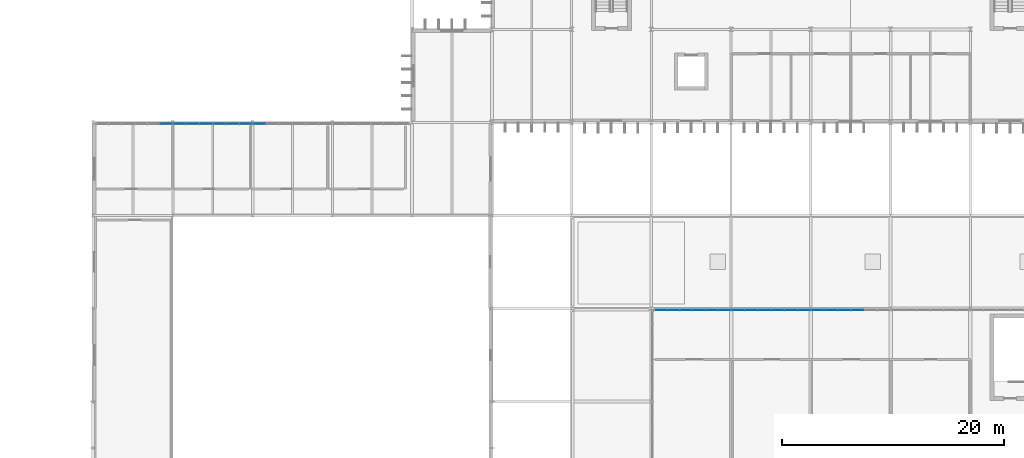
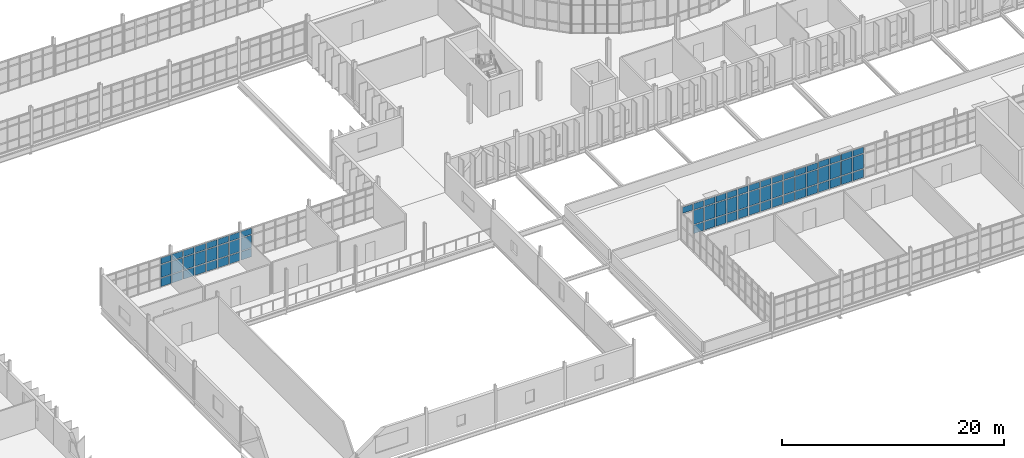
# One storey, part 69 of 119: 70 plates, 6 elements without a shape of their own.
"""IFC4 building model written with IfcOpenShell, lengths in metres."""

from ifc_helpers import new_model, si_unit, direction, frame, origin, origin_2d, place, context, subcontext, project, spatial, rectangle, extrude, material, layer, layer_set, type_object, element, aggregate, save


model = new_model("IFC4")

# Units and contexts
model_context = context("Model", 3, precision=1e-05, world=origin(), true_north=direction((0.0, 1.0)))
body_context = subcontext(model_context, "Body", "Model", "MODEL_VIEW")
ifc_project = project(units=[si_unit("LENGTHUNIT", "METRE"), si_unit("AREAUNIT", "SQUARE_METRE"), si_unit("VOLUMEUNIT", "CUBIC_METRE"), si_unit("PLANEANGLEUNIT", "RADIAN"), si_unit("MASSUNIT", "GRAM", prefix="KILO")], contexts=[model_context])

# Site, building, storey
site_placement = place(None, origin())
site = spatial("IfcSite", under=ifc_project, at=site_placement, CompositionType="ELEMENT")
building_placement = place(site_placement, origin())
building = spatial("IfcBuilding", under=site, at=building_placement, Name="Qelthora Terrace Specialist Clinic", CompositionType="ELEMENT")
storey_placement = place(building_placement, frame((0.0, 0.0, 4.800048828125)))
storey = spatial("IfcBuildingStorey", under=building, at=storey_placement, Name="L01", CompositionType="ELEMENT", Elevation=4.800048828125)

# Curtain wall, plates
ifc_material_1 = material(Name="Aluminium anodized bronze", Category="aluminium")
curtain_wall_type_1 = type_object("IfcCurtainWallType", Name="CW-HALL-L01", PredefinedType="NOTDEFINED", material=ifc_material_1)
curtain_wall_1_placement = place(storey_placement, origin())
curtain_wall_1 = element("IfcCurtainWall", 1, at=curtain_wall_1_placement, inside=storey, type_object=curtain_wall_type_1, Name="Curtain wall CW-L01-224", PredefinedType="NOTDEFINED")
ifc_material_2 = material(Name="Low-E triple-silver insulating glass", Category="glass")
ifc_layer = layer(ifc_material_2, 0.035888671875)
ifc_layer_set = layer_set([ifc_layer], Name="Low-E triple-silver insulating glass")
plate_type = type_object("IfcPlateType", Name="CWP-IGU-36", PredefinedType="CURTAIN_PANEL", material=ifc_layer_set)
plate_1_placement = place(storey_placement, frame((64.2216796875, 33.47998046875, 0.0849609375), z_axis=(0.0, 0.0, 1.0), x_axis=(1.0, 0.0, 0.0)))
plate_1 = element("IfcPlate", 2, at=plate_1_placement, type_object=plate_type, Name="CW-L01-224 glazed panel 16", PredefinedType="CURTAIN_PANEL", context=body_context, shape_type="SweptSolid", body=[
    extrude(rectangle(XDim=1.056640625, YDim=0.035888671875, at=origin_2d()), origin(), (0.0, 0.0, 1.0), 0.919921875),
])
plate_2_placement = place(storey_placement, frame((64.2216796875, 33.47998046875, 1.0947265625), z_axis=(0.0, 0.0, 1.0), x_axis=(1.0, 0.0, 0.0)))
plate_2 = element("IfcPlate", 3, at=plate_2_placement, type_object=plate_type, Name="CW-L01-224 glazed panel 17", PredefinedType="CURTAIN_PANEL", context=body_context, shape_type="SweptSolid", body=[
    extrude(rectangle(XDim=1.056640625, YDim=0.035888671875, at=origin_2d()), origin(), (0.0, 0.0, 1.0), 1.385009765625),
])
plate_3_placement = place(storey_placement, frame((64.2216796875, 33.47998046875, 2.570068359375), z_axis=(0.0, 0.0, 1.0), x_axis=(1.0, 0.0, 0.0)))
plate_3 = element("IfcPlate", 4, at=plate_3_placement, type_object=plate_type, Name="CW-L01-224 glazed panel 18", PredefinedType="CURTAIN_PANEL", context=body_context, shape_type="SweptSolid", body=[
    extrude(rectangle(XDim=1.056640625, YDim=0.035888671875, at=origin_2d()), origin(), (0.0, 0.0, 1.0), 0.669921875),
])
aggregate(curtain_wall_1, [plate_1, plate_2, plate_3])

curtain_wall_2_placement = place(storey_placement, origin())
curtain_wall_2 = element("IfcCurtainWall", 5, at=curtain_wall_2_placement, inside=storey, type_object=curtain_wall_type_1, Name="Curtain wall CW-L01-225", PredefinedType="NOTDEFINED")
plate_4_placement = place(storey_placement, frame((65.39990234375, 33.47998046875, 0.0849609375), z_axis=(0.0, 0.0, 1.0), x_axis=(1.0, 0.0, 0.0)))
plate_4 = element("IfcPlate", 6, at=plate_4_placement, type_object=plate_type, Name="CW-L01-225 glazed panel 1", PredefinedType="CURTAIN_PANEL", context=body_context, shape_type="SweptSolid", body=[
    extrude(rectangle(XDim=1.10009765625, YDim=0.035888671875, at=origin_2d()), origin(), (0.0, 0.0, 1.0), 0.919921875),
])
plate_5_placement = place(storey_placement, frame((65.39990234375, 33.47998046875, 1.0947265625), z_axis=(0.0, 0.0, 1.0), x_axis=(1.0, 0.0, 0.0)))
plate_5 = element("IfcPlate", 7, at=plate_5_placement, type_object=plate_type, Name="CW-L01-225 glazed panel 2", PredefinedType="CURTAIN_PANEL", context=body_context, shape_type="SweptSolid", body=[
    extrude(rectangle(XDim=1.10009765625, YDim=0.035888671875, at=origin_2d()), origin(), (0.0, 0.0, 1.0), 1.385009765625),
])
plate_6_placement = place(storey_placement, frame((65.39990234375, 33.47998046875, 2.570068359375), z_axis=(0.0, 0.0, 1.0), x_axis=(1.0, 0.0, 0.0)))
plate_6 = element("IfcPlate", 8, at=plate_6_placement, type_object=plate_type, Name="CW-L01-225 glazed panel 3", PredefinedType="CURTAIN_PANEL", context=body_context, shape_type="SweptSolid", body=[
    extrude(rectangle(XDim=1.10009765625, YDim=0.035888671875, at=origin_2d()), origin(), (0.0, 0.0, 1.0), 0.669921875),
])
plate_7_placement = place(storey_placement, frame((66.60009765625, 33.47998046875, 0.0849609375), z_axis=(0.0, 0.0, 1.0), x_axis=(1.0, 0.0, 0.0)))
plate_7 = element("IfcPlate", 9, at=plate_7_placement, type_object=plate_type, Name="CW-L01-225 glazed panel 4", PredefinedType="CURTAIN_PANEL", context=body_context, shape_type="SweptSolid", body=[
    extrude(rectangle(XDim=1.10009765625, YDim=0.035888671875, at=origin_2d()), origin(), (0.0, 0.0, 1.0), 0.919921875),
])
plate_8_placement = place(storey_placement, frame((66.60009765625, 33.47998046875, 1.0947265625), z_axis=(0.0, 0.0, 1.0), x_axis=(1.0, 0.0, 0.0)))
plate_8 = element("IfcPlate", 10, at=plate_8_placement, type_object=plate_type, Name="CW-L01-225 glazed panel 5", PredefinedType="CURTAIN_PANEL", context=body_context, shape_type="SweptSolid", body=[
    extrude(rectangle(XDim=1.10009765625, YDim=0.035888671875, at=origin_2d()), origin(), (0.0, 0.0, 1.0), 1.385009765625),
])
plate_9_placement = place(storey_placement, frame((66.60009765625, 33.47998046875, 2.570068359375), z_axis=(0.0, 0.0, 1.0), x_axis=(1.0, 0.0, 0.0)))
plate_9 = element("IfcPlate", 11, at=plate_9_placement, type_object=plate_type, Name="CW-L01-225 glazed panel 6", PredefinedType="CURTAIN_PANEL", context=body_context, shape_type="SweptSolid", body=[
    extrude(rectangle(XDim=1.10009765625, YDim=0.035888671875, at=origin_2d()), origin(), (0.0, 0.0, 1.0), 0.669921875),
])
plate_10_placement = place(storey_placement, frame((67.800048828125, 33.47998046875, 0.0849609375), z_axis=(0.0, 0.0, 1.0), x_axis=(1.0, 0.0, 0.0)))
plate_10 = element("IfcPlate", 12, at=plate_10_placement, type_object=plate_type, Name="CW-L01-225 glazed panel 7", PredefinedType="CURTAIN_PANEL", context=body_context, shape_type="SweptSolid", body=[
    extrude(rectangle(XDim=1.10009765625, YDim=0.035888671875, at=origin_2d()), origin(), (0.0, 0.0, 1.0), 0.919921875),
])
plate_11_placement = place(storey_placement, frame((67.800048828125, 33.47998046875, 1.0947265625), z_axis=(0.0, 0.0, 1.0), x_axis=(1.0, 0.0, 0.0)))
plate_11 = element("IfcPlate", 13, at=plate_11_placement, type_object=plate_type, Name="CW-L01-225 glazed panel 8", PredefinedType="CURTAIN_PANEL", context=body_context, shape_type="SweptSolid", body=[
    extrude(rectangle(XDim=1.10009765625, YDim=0.035888671875, at=origin_2d()), origin(), (0.0, 0.0, 1.0), 1.385009765625),
])
plate_12_placement = place(storey_placement, frame((67.800048828125, 33.47998046875, 2.570068359375), z_axis=(0.0, 0.0, 1.0), x_axis=(1.0, 0.0, 0.0)))
plate_12 = element("IfcPlate", 14, at=plate_12_placement, type_object=plate_type, Name="CW-L01-225 glazed panel 9", PredefinedType="CURTAIN_PANEL", context=body_context, shape_type="SweptSolid", body=[
    extrude(rectangle(XDim=1.10009765625, YDim=0.035888671875, at=origin_2d()), origin(), (0.0, 0.0, 1.0), 0.669921875),
])
plate_13_placement = place(storey_placement, frame((69.0, 33.47998046875, 0.0849609375), z_axis=(0.0, 0.0, 1.0), x_axis=(1.0, 0.0, 0.0)))
plate_13 = element("IfcPlate", 15, at=plate_13_placement, type_object=plate_type, Name="CW-L01-225 glazed panel 10", PredefinedType="CURTAIN_PANEL", context=body_context, shape_type="SweptSolid", body=[
    extrude(rectangle(XDim=1.10009765625, YDim=0.035888671875, at=origin_2d()), origin(), (0.0, 0.0, 1.0), 0.919921875),
])
plate_14_placement = place(storey_placement, frame((69.0, 33.47998046875, 1.0947265625), z_axis=(0.0, 0.0, 1.0), x_axis=(1.0, 0.0, 0.0)))
plate_14 = element("IfcPlate", 16, at=plate_14_placement, type_object=plate_type, Name="CW-L01-225 glazed panel 11", PredefinedType="CURTAIN_PANEL", context=body_context, shape_type="SweptSolid", body=[
    extrude(rectangle(XDim=1.10009765625, YDim=0.035888671875, at=origin_2d()), origin(), (0.0, 0.0, 1.0), 1.385009765625),
])
plate_15_placement = place(storey_placement, frame((69.0, 33.47998046875, 2.570068359375), z_axis=(0.0, 0.0, 1.0), x_axis=(1.0, 0.0, 0.0)))
plate_15 = element("IfcPlate", 17, at=plate_15_placement, type_object=plate_type, Name="CW-L01-225 glazed panel 12", PredefinedType="CURTAIN_PANEL", context=body_context, shape_type="SweptSolid", body=[
    extrude(rectangle(XDim=1.10009765625, YDim=0.035888671875, at=origin_2d()), origin(), (0.0, 0.0, 1.0), 0.669921875),
])
plate_16_placement = place(storey_placement, frame((70.199951171875, 33.47998046875, 0.0849609375), z_axis=(0.0, 0.0, 1.0), x_axis=(1.0, 0.0, 0.0)))
plate_16 = element("IfcPlate", 18, at=plate_16_placement, type_object=plate_type, Name="CW-L01-225 glazed panel 13", PredefinedType="CURTAIN_PANEL", context=body_context, shape_type="SweptSolid", body=[
    extrude(rectangle(XDim=1.10009765625, YDim=0.035888671875, at=origin_2d()), origin(), (0.0, 0.0, 1.0), 0.919921875),
])
plate_17_placement = place(storey_placement, frame((70.199951171875, 33.47998046875, 1.0947265625), z_axis=(0.0, 0.0, 1.0), x_axis=(1.0, 0.0, 0.0)))
plate_17 = element("IfcPlate", 19, at=plate_17_placement, type_object=plate_type, Name="CW-L01-225 glazed panel 14", PredefinedType="CURTAIN_PANEL", context=body_context, shape_type="SweptSolid", body=[
    extrude(rectangle(XDim=1.10009765625, YDim=0.035888671875, at=origin_2d()), origin(), (0.0, 0.0, 1.0), 1.385009765625),
])
plate_18_placement = place(storey_placement, frame((70.199951171875, 33.47998046875, 2.570068359375), z_axis=(0.0, 0.0, 1.0), x_axis=(1.0, 0.0, 0.0)))
plate_18 = element("IfcPlate", 20, at=plate_18_placement, type_object=plate_type, Name="CW-L01-225 glazed panel 15", PredefinedType="CURTAIN_PANEL", context=body_context, shape_type="SweptSolid", body=[
    extrude(rectangle(XDim=1.10009765625, YDim=0.035888671875, at=origin_2d()), origin(), (0.0, 0.0, 1.0), 0.669921875),
])
plate_19_placement = place(storey_placement, frame((71.39990234375, 33.47998046875, 0.0849609375), z_axis=(0.0, 0.0, 1.0), x_axis=(1.0, 0.0, 0.0)))
plate_19 = element("IfcPlate", 21, at=plate_19_placement, type_object=plate_type, Name="CW-L01-225 glazed panel 16", PredefinedType="CURTAIN_PANEL", context=body_context, shape_type="SweptSolid", body=[
    extrude(rectangle(XDim=1.10009765625, YDim=0.035888671875, at=origin_2d()), origin(), (0.0, 0.0, 1.0), 0.919921875),
])
plate_20_placement = place(storey_placement, frame((71.39990234375, 33.47998046875, 1.0947265625), z_axis=(0.0, 0.0, 1.0), x_axis=(1.0, 0.0, 0.0)))
plate_20 = element("IfcPlate", 22, at=plate_20_placement, type_object=plate_type, Name="CW-L01-225 glazed panel 17", PredefinedType="CURTAIN_PANEL", context=body_context, shape_type="SweptSolid", body=[
    extrude(rectangle(XDim=1.10009765625, YDim=0.035888671875, at=origin_2d()), origin(), (0.0, 0.0, 1.0), 1.385009765625),
])
plate_21_placement = place(storey_placement, frame((71.39990234375, 33.47998046875, 2.570068359375), z_axis=(0.0, 0.0, 1.0), x_axis=(1.0, 0.0, 0.0)))
plate_21 = element("IfcPlate", 23, at=plate_21_placement, type_object=plate_type, Name="CW-L01-225 glazed panel 18", PredefinedType="CURTAIN_PANEL", context=body_context, shape_type="SweptSolid", body=[
    extrude(rectangle(XDim=1.10009765625, YDim=0.035888671875, at=origin_2d()), origin(), (0.0, 0.0, 1.0), 0.669921875),
])
aggregate(curtain_wall_2, [plate_4, plate_5, plate_6, plate_7, plate_8, plate_9, plate_10, plate_11, plate_12, plate_13, plate_14, plate_15, plate_16, plate_17, plate_18, plate_19, plate_20, plate_21])

curtain_wall_3_placement = place(storey_placement, origin())
curtain_wall_3 = element("IfcCurtainWall", 24, at=curtain_wall_3_placement, inside=storey, type_object=curtain_wall_type_1, Name="Curtain wall CW-L01-226", PredefinedType="NOTDEFINED")
plate_22_placement = place(storey_placement, frame((72.60009765625, 33.47998046875, 0.0849609375), z_axis=(0.0, 0.0, 1.0), x_axis=(1.0, 0.0, 0.0)))
plate_22 = element("IfcPlate", 25, at=plate_22_placement, type_object=plate_type, Name="CW-L01-226 glazed panel 1", PredefinedType="CURTAIN_PANEL", context=body_context, shape_type="SweptSolid", body=[
    extrude(rectangle(XDim=1.10009765625, YDim=0.035888671875, at=origin_2d()), origin(), (0.0, 0.0, 1.0), 0.919921875),
])
plate_23_placement = place(storey_placement, frame((72.60009765625, 33.47998046875, 1.09521484375), z_axis=(0.0, 0.0, 1.0), x_axis=(1.0, 0.0, 0.0)))
plate_23 = element("IfcPlate", 26, at=plate_23_placement, type_object=plate_type, Name="CW-L01-226 glazed panel 2", PredefinedType="CURTAIN_PANEL", context=body_context, shape_type="SweptSolid", body=[
    extrude(rectangle(XDim=1.10009765625, YDim=0.035888671875, at=origin_2d()), origin(), (0.0, 0.0, 1.0), 1.389892578125),
])
plate_24_placement = place(storey_placement, frame((72.60009765625, 33.47998046875, 2.574951171875), z_axis=(0.0, 0.0, 1.0), x_axis=(1.0, 0.0, 0.0)))
plate_24 = element("IfcPlate", 27, at=plate_24_placement, type_object=plate_type, Name="CW-L01-226 glazed panel 3", PredefinedType="CURTAIN_PANEL", context=body_context, shape_type="SweptSolid", body=[
    extrude(rectangle(XDim=1.10009765625, YDim=0.035888671875, at=origin_2d()), origin(), (0.0, 0.0, 1.0), 0.669921875),
])
aggregate(curtain_wall_3, [plate_22, plate_23, plate_24])

curtain_wall_type_2 = type_object("IfcCurtainWallType", Name="CW-CONS-UP", PredefinedType="NOTDEFINED", material=ifc_material_1)
curtain_wall_4_placement = place(storey_placement, origin())
curtain_wall_4 = element("IfcCurtainWall", 28, at=curtain_wall_4_placement, inside=storey, type_object=curtain_wall_type_2, Name="Curtain wall CW-L01-240", PredefinedType="NOTDEFINED")
plate_25_placement = place(storey_placement, frame((108.83837890625, 16.679931640625, 2.720947265625), z_axis=(0.0, 0.0, 1.0), x_axis=(1.0, 0.0, 0.0)))
plate_25 = element("IfcPlate", 29, at=plate_25_placement, type_object=plate_type, Name="CW-L01-240 glazed panel 3", PredefinedType="CURTAIN_PANEL", context=body_context, shape_type="SweptSolid", body=[
    extrude(rectangle(XDim=1.056640625, YDim=0.035888671875, at=origin_2d()), origin(), (0.0, 0.0, 1.0), 0.669921875),
])
plate_26_placement = place(storey_placement, frame((109.9951171875, 16.679931640625, 0.0849609375), z_axis=(0.0, 0.0, 1.0), x_axis=(1.0, 0.0, 0.0)))
plate_26 = element("IfcPlate", 30, at=plate_26_placement, type_object=plate_type, Name="CW-L01-240 glazed panel 4", PredefinedType="CURTAIN_PANEL", context=body_context, shape_type="SweptSolid", body=[
    extrude(rectangle(XDim=1.056640625, YDim=0.035888671875, at=origin_2d()), origin(), (0.0, 0.0, 1.0), 0.919921875),
])
plate_27_placement = place(storey_placement, frame((109.9951171875, 16.679931640625, 1.09521484375), z_axis=(0.0, 0.0, 1.0), x_axis=(1.0, 0.0, 0.0)))
plate_27 = element("IfcPlate", 31, at=plate_27_placement, type_object=plate_type, Name="CW-L01-240 glazed panel 5", PredefinedType="CURTAIN_PANEL", context=body_context, shape_type="SweptSolid", body=[
    extrude(rectangle(XDim=1.056640625, YDim=0.035888671875, at=origin_2d()), origin(), (0.0, 0.0, 1.0), 1.535888671875),
])
plate_28_placement = place(storey_placement, frame((109.9951171875, 16.679931640625, 2.720947265625), z_axis=(0.0, 0.0, 1.0), x_axis=(1.0, 0.0, 0.0)))
plate_28 = element("IfcPlate", 32, at=plate_28_placement, type_object=plate_type, Name="CW-L01-240 glazed panel 6", PredefinedType="CURTAIN_PANEL", context=body_context, shape_type="SweptSolid", body=[
    extrude(rectangle(XDim=1.056640625, YDim=0.035888671875, at=origin_2d()), origin(), (0.0, 0.0, 1.0), 0.669921875),
])
plate_29_placement = place(storey_placement, frame((111.151611328125, 16.679931640625, 0.0849609375), z_axis=(0.0, 0.0, 1.0), x_axis=(1.0, 0.0, 0.0)))
plate_29 = element("IfcPlate", 33, at=plate_29_placement, type_object=plate_type, Name="CW-L01-240 glazed panel 7", PredefinedType="CURTAIN_PANEL", context=body_context, shape_type="SweptSolid", body=[
    extrude(rectangle(XDim=1.056640625, YDim=0.035888671875, at=origin_2d()), origin(), (0.0, 0.0, 1.0), 0.919921875),
])
plate_30_placement = place(storey_placement, frame((111.151611328125, 16.679931640625, 1.09521484375), z_axis=(0.0, 0.0, 1.0), x_axis=(1.0, 0.0, 0.0)))
plate_30 = element("IfcPlate", 34, at=plate_30_placement, type_object=plate_type, Name="CW-L01-240 glazed panel 8", PredefinedType="CURTAIN_PANEL", context=body_context, shape_type="SweptSolid", body=[
    extrude(rectangle(XDim=1.056640625, YDim=0.035888671875, at=origin_2d()), origin(), (0.0, 0.0, 1.0), 1.535888671875),
])
plate_31_placement = place(storey_placement, frame((111.151611328125, 16.679931640625, 2.720947265625), z_axis=(0.0, 0.0, 1.0), x_axis=(1.0, 0.0, 0.0)))
plate_31 = element("IfcPlate", 35, at=plate_31_placement, type_object=plate_type, Name="CW-L01-240 glazed panel 9", PredefinedType="CURTAIN_PANEL", context=body_context, shape_type="SweptSolid", body=[
    extrude(rectangle(XDim=1.056640625, YDim=0.035888671875, at=origin_2d()), origin(), (0.0, 0.0, 1.0), 0.669921875),
])
plate_32_placement = place(storey_placement, frame((112.308349609375, 16.679931640625, 0.0849609375), z_axis=(0.0, 0.0, 1.0), x_axis=(1.0, 0.0, 0.0)))
plate_32 = element("IfcPlate", 36, at=plate_32_placement, type_object=plate_type, Name="CW-L01-240 glazed panel 10", PredefinedType="CURTAIN_PANEL", context=body_context, shape_type="SweptSolid", body=[
    extrude(rectangle(XDim=1.056640625, YDim=0.035888671875, at=origin_2d()), origin(), (0.0, 0.0, 1.0), 0.919921875),
])
plate_33_placement = place(storey_placement, frame((112.308349609375, 16.679931640625, 1.09521484375), z_axis=(0.0, 0.0, 1.0), x_axis=(1.0, 0.0, 0.0)))
plate_33 = element("IfcPlate", 37, at=plate_33_placement, type_object=plate_type, Name="CW-L01-240 glazed panel 11", PredefinedType="CURTAIN_PANEL", context=body_context, shape_type="SweptSolid", body=[
    extrude(rectangle(XDim=1.056640625, YDim=0.035888671875, at=origin_2d()), origin(), (0.0, 0.0, 1.0), 1.535888671875),
])
plate_34_placement = place(storey_placement, frame((112.308349609375, 16.679931640625, 2.720947265625), z_axis=(0.0, 0.0, 1.0), x_axis=(1.0, 0.0, 0.0)))
plate_34 = element("IfcPlate", 38, at=plate_34_placement, type_object=plate_type, Name="CW-L01-240 glazed panel 12", PredefinedType="CURTAIN_PANEL", context=body_context, shape_type="SweptSolid", body=[
    extrude(rectangle(XDim=1.056640625, YDim=0.035888671875, at=origin_2d()), origin(), (0.0, 0.0, 1.0), 0.669921875),
])
plate_35_placement = place(storey_placement, frame((113.465087890625, 16.679931640625, 0.0849609375), z_axis=(0.0, 0.0, 1.0), x_axis=(1.0, 0.0, 0.0)))
plate_35 = element("IfcPlate", 39, at=plate_35_placement, type_object=plate_type, Name="CW-L01-240 glazed panel 13", PredefinedType="CURTAIN_PANEL", context=body_context, shape_type="SweptSolid", body=[
    extrude(rectangle(XDim=1.056640625, YDim=0.035888671875, at=origin_2d()), origin(), (0.0, 0.0, 1.0), 0.919921875),
])
plate_36_placement = place(storey_placement, frame((113.465087890625, 16.679931640625, 1.09521484375), z_axis=(0.0, 0.0, 1.0), x_axis=(1.0, 0.0, 0.0)))
plate_36 = element("IfcPlate", 40, at=plate_36_placement, type_object=plate_type, Name="CW-L01-240 glazed panel 14", PredefinedType="CURTAIN_PANEL", context=body_context, shape_type="SweptSolid", body=[
    extrude(rectangle(XDim=1.056640625, YDim=0.035888671875, at=origin_2d()), origin(), (0.0, 0.0, 1.0), 1.535888671875),
])
plate_37_placement = place(storey_placement, frame((113.465087890625, 16.679931640625, 2.720947265625), z_axis=(0.0, 0.0, 1.0), x_axis=(1.0, 0.0, 0.0)))
plate_37 = element("IfcPlate", 41, at=plate_37_placement, type_object=plate_type, Name="CW-L01-240 glazed panel 15", PredefinedType="CURTAIN_PANEL", context=body_context, shape_type="SweptSolid", body=[
    extrude(rectangle(XDim=1.056640625, YDim=0.035888671875, at=origin_2d()), origin(), (0.0, 0.0, 1.0), 0.669921875),
])
plate_38_placement = place(storey_placement, frame((114.62158203125, 16.679931640625, 0.0849609375), z_axis=(0.0, 0.0, 1.0), x_axis=(1.0, 0.0, 0.0)))
plate_38 = element("IfcPlate", 42, at=plate_38_placement, type_object=plate_type, Name="CW-L01-240 glazed panel 16", PredefinedType="CURTAIN_PANEL", context=body_context, shape_type="SweptSolid", body=[
    extrude(rectangle(XDim=1.056640625, YDim=0.035888671875, at=origin_2d()), origin(), (0.0, 0.0, 1.0), 0.919921875),
])
plate_39_placement = place(storey_placement, frame((114.62158203125, 16.679931640625, 1.09521484375), z_axis=(0.0, 0.0, 1.0), x_axis=(1.0, 0.0, 0.0)))
plate_39 = element("IfcPlate", 43, at=plate_39_placement, type_object=plate_type, Name="CW-L01-240 glazed panel 17", PredefinedType="CURTAIN_PANEL", context=body_context, shape_type="SweptSolid", body=[
    extrude(rectangle(XDim=1.056640625, YDim=0.035888671875, at=origin_2d()), origin(), (0.0, 0.0, 1.0), 1.535888671875),
])
plate_40_placement = place(storey_placement, frame((114.62158203125, 16.679931640625, 2.720947265625), z_axis=(0.0, 0.0, 1.0), x_axis=(1.0, 0.0, 0.0)))
plate_40 = element("IfcPlate", 44, at=plate_40_placement, type_object=plate_type, Name="CW-L01-240 glazed panel 18", PredefinedType="CURTAIN_PANEL", context=body_context, shape_type="SweptSolid", body=[
    extrude(rectangle(XDim=1.056640625, YDim=0.035888671875, at=origin_2d()), origin(), (0.0, 0.0, 1.0), 0.669921875),
])
aggregate(curtain_wall_4, [plate_25, plate_26, plate_27, plate_28, plate_29, plate_30, plate_31, plate_32, plate_33, plate_34, plate_35, plate_36, plate_37, plate_38, plate_39, plate_40])

curtain_wall_5_placement = place(storey_placement, origin())
curtain_wall_5 = element("IfcCurtainWall", 45, at=curtain_wall_5_placement, inside=storey, type_object=curtain_wall_type_2, Name="Curtain wall CW-L01-241", PredefinedType="NOTDEFINED")
plate_41_placement = place(storey_placement, frame((115.800048828125, 16.679931640625, 0.0849609375), z_axis=(0.0, 0.0, 1.0), x_axis=(1.0, 0.0, 0.0)))
plate_41 = element("IfcPlate", 46, at=plate_41_placement, type_object=plate_type, Name="CW-L01-241 glazed panel 1", PredefinedType="CURTAIN_PANEL", context=body_context, shape_type="SweptSolid", body=[
    extrude(rectangle(XDim=1.10009765625, YDim=0.035888671875, at=origin_2d()), origin(), (0.0, 0.0, 1.0), 0.919921875),
])
plate_42_placement = place(storey_placement, frame((115.800048828125, 16.679931640625, 1.094970703125), z_axis=(0.0, 0.0, 1.0), x_axis=(1.0, 0.0, 0.0)))
plate_42 = element("IfcPlate", 47, at=plate_42_placement, type_object=plate_type, Name="CW-L01-241 glazed panel 2", PredefinedType="CURTAIN_PANEL", context=body_context, shape_type="SweptSolid", body=[
    extrude(rectangle(XDim=1.10009765625, YDim=0.035888671875, at=origin_2d()), origin(), (0.0, 0.0, 1.0), 1.5419921875),
])
plate_43_placement = place(storey_placement, frame((115.800048828125, 16.679931640625, 2.72705078125), z_axis=(0.0, 0.0, 1.0), x_axis=(1.0, 0.0, 0.0)))
plate_43 = element("IfcPlate", 48, at=plate_43_placement, type_object=plate_type, Name="CW-L01-241 glazed panel 3", PredefinedType="CURTAIN_PANEL", context=body_context, shape_type="SweptSolid", body=[
    extrude(rectangle(XDim=1.10009765625, YDim=0.035888671875, at=origin_2d()), origin(), (0.0, 0.0, 1.0), 0.669921875),
])
plate_44_placement = place(storey_placement, frame((117.0, 16.679931640625, 0.0849609375), z_axis=(0.0, 0.0, 1.0), x_axis=(1.0, 0.0, 0.0)))
plate_44 = element("IfcPlate", 49, at=plate_44_placement, type_object=plate_type, Name="CW-L01-241 glazed panel 4", PredefinedType="CURTAIN_PANEL", context=body_context, shape_type="SweptSolid", body=[
    extrude(rectangle(XDim=1.10009765625, YDim=0.035888671875, at=origin_2d()), origin(), (0.0, 0.0, 1.0), 0.919921875),
])
plate_45_placement = place(storey_placement, frame((117.0, 16.679931640625, 1.094970703125), z_axis=(0.0, 0.0, 1.0), x_axis=(1.0, 0.0, 0.0)))
plate_45 = element("IfcPlate", 50, at=plate_45_placement, type_object=plate_type, Name="CW-L01-241 glazed panel 5", PredefinedType="CURTAIN_PANEL", context=body_context, shape_type="SweptSolid", body=[
    extrude(rectangle(XDim=1.10009765625, YDim=0.035888671875, at=origin_2d()), origin(), (0.0, 0.0, 1.0), 1.5419921875),
])
plate_46_placement = place(storey_placement, frame((117.0, 16.679931640625, 2.72705078125), z_axis=(0.0, 0.0, 1.0), x_axis=(1.0, 0.0, 0.0)))
plate_46 = element("IfcPlate", 51, at=plate_46_placement, type_object=plate_type, Name="CW-L01-241 glazed panel 6", PredefinedType="CURTAIN_PANEL", context=body_context, shape_type="SweptSolid", body=[
    extrude(rectangle(XDim=1.10009765625, YDim=0.035888671875, at=origin_2d()), origin(), (0.0, 0.0, 1.0), 0.669921875),
])
plate_47_placement = place(storey_placement, frame((118.199951171875, 16.679931640625, 0.0849609375), z_axis=(0.0, 0.0, 1.0), x_axis=(1.0, 0.0, 0.0)))
plate_47 = element("IfcPlate", 52, at=plate_47_placement, type_object=plate_type, Name="CW-L01-241 glazed panel 7", PredefinedType="CURTAIN_PANEL", context=body_context, shape_type="SweptSolid", body=[
    extrude(rectangle(XDim=1.10009765625, YDim=0.035888671875, at=origin_2d()), origin(), (0.0, 0.0, 1.0), 0.919921875),
])
plate_48_placement = place(storey_placement, frame((118.199951171875, 16.679931640625, 1.094970703125), z_axis=(0.0, 0.0, 1.0), x_axis=(1.0, 0.0, 0.0)))
plate_48 = element("IfcPlate", 53, at=plate_48_placement, type_object=plate_type, Name="CW-L01-241 glazed panel 8", PredefinedType="CURTAIN_PANEL", context=body_context, shape_type="SweptSolid", body=[
    extrude(rectangle(XDim=1.10009765625, YDim=0.035888671875, at=origin_2d()), origin(), (0.0, 0.0, 1.0), 1.5419921875),
])
plate_49_placement = place(storey_placement, frame((118.199951171875, 16.679931640625, 2.72705078125), z_axis=(0.0, 0.0, 1.0), x_axis=(1.0, 0.0, 0.0)))
plate_49 = element("IfcPlate", 54, at=plate_49_placement, type_object=plate_type, Name="CW-L01-241 glazed panel 9", PredefinedType="CURTAIN_PANEL", context=body_context, shape_type="SweptSolid", body=[
    extrude(rectangle(XDim=1.10009765625, YDim=0.035888671875, at=origin_2d()), origin(), (0.0, 0.0, 1.0), 0.669921875),
])
plate_50_placement = place(storey_placement, frame((119.39990234375, 16.679931640625, 0.0849609375), z_axis=(0.0, 0.0, 1.0), x_axis=(1.0, 0.0, 0.0)))
plate_50 = element("IfcPlate", 55, at=plate_50_placement, type_object=plate_type, Name="CW-L01-241 glazed panel 10", PredefinedType="CURTAIN_PANEL", context=body_context, shape_type="SweptSolid", body=[
    extrude(rectangle(XDim=1.10009765625, YDim=0.035888671875, at=origin_2d()), origin(), (0.0, 0.0, 1.0), 0.919921875),
])
plate_51_placement = place(storey_placement, frame((119.39990234375, 16.679931640625, 1.094970703125), z_axis=(0.0, 0.0, 1.0), x_axis=(1.0, 0.0, 0.0)))
plate_51 = element("IfcPlate", 56, at=plate_51_placement, type_object=plate_type, Name="CW-L01-241 glazed panel 11", PredefinedType="CURTAIN_PANEL", context=body_context, shape_type="SweptSolid", body=[
    extrude(rectangle(XDim=1.10009765625, YDim=0.035888671875, at=origin_2d()), origin(), (0.0, 0.0, 1.0), 1.5419921875),
])
plate_52_placement = place(storey_placement, frame((119.39990234375, 16.679931640625, 2.72705078125), z_axis=(0.0, 0.0, 1.0), x_axis=(1.0, 0.0, 0.0)))
plate_52 = element("IfcPlate", 57, at=plate_52_placement, type_object=plate_type, Name="CW-L01-241 glazed panel 12", PredefinedType="CURTAIN_PANEL", context=body_context, shape_type="SweptSolid", body=[
    extrude(rectangle(XDim=1.10009765625, YDim=0.035888671875, at=origin_2d()), origin(), (0.0, 0.0, 1.0), 0.669921875),
])
plate_53_placement = place(storey_placement, frame((120.60009765625, 16.679931640625, 0.0849609375), z_axis=(0.0, 0.0, 1.0), x_axis=(1.0, 0.0, 0.0)))
plate_53 = element("IfcPlate", 58, at=plate_53_placement, type_object=plate_type, Name="CW-L01-241 glazed panel 13", PredefinedType="CURTAIN_PANEL", context=body_context, shape_type="SweptSolid", body=[
    extrude(rectangle(XDim=1.10009765625, YDim=0.035888671875, at=origin_2d()), origin(), (0.0, 0.0, 1.0), 0.919921875),
])
plate_54_placement = place(storey_placement, frame((120.60009765625, 16.679931640625, 1.094970703125), z_axis=(0.0, 0.0, 1.0), x_axis=(1.0, 0.0, 0.0)))
plate_54 = element("IfcPlate", 59, at=plate_54_placement, type_object=plate_type, Name="CW-L01-241 glazed panel 14", PredefinedType="CURTAIN_PANEL", context=body_context, shape_type="SweptSolid", body=[
    extrude(rectangle(XDim=1.10009765625, YDim=0.035888671875, at=origin_2d()), origin(), (0.0, 0.0, 1.0), 1.5419921875),
])
plate_55_placement = place(storey_placement, frame((120.60009765625, 16.679931640625, 2.72705078125), z_axis=(0.0, 0.0, 1.0), x_axis=(1.0, 0.0, 0.0)))
plate_55 = element("IfcPlate", 60, at=plate_55_placement, type_object=plate_type, Name="CW-L01-241 glazed panel 15", PredefinedType="CURTAIN_PANEL", context=body_context, shape_type="SweptSolid", body=[
    extrude(rectangle(XDim=1.10009765625, YDim=0.035888671875, at=origin_2d()), origin(), (0.0, 0.0, 1.0), 0.669921875),
])
plate_56_placement = place(storey_placement, frame((121.800048828125, 16.679931640625, 0.0849609375), z_axis=(0.0, 0.0, 1.0), x_axis=(1.0, 0.0, 0.0)))
plate_56 = element("IfcPlate", 61, at=plate_56_placement, type_object=plate_type, Name="CW-L01-241 glazed panel 16", PredefinedType="CURTAIN_PANEL", context=body_context, shape_type="SweptSolid", body=[
    extrude(rectangle(XDim=1.10009765625, YDim=0.035888671875, at=origin_2d()), origin(), (0.0, 0.0, 1.0), 0.919921875),
])
plate_57_placement = place(storey_placement, frame((121.800048828125, 16.679931640625, 1.094970703125), z_axis=(0.0, 0.0, 1.0), x_axis=(1.0, 0.0, 0.0)))
plate_57 = element("IfcPlate", 62, at=plate_57_placement, type_object=plate_type, Name="CW-L01-241 glazed panel 17", PredefinedType="CURTAIN_PANEL", context=body_context, shape_type="SweptSolid", body=[
    extrude(rectangle(XDim=1.10009765625, YDim=0.035888671875, at=origin_2d()), origin(), (0.0, 0.0, 1.0), 1.5419921875),
])
plate_58_placement = place(storey_placement, frame((121.800048828125, 16.679931640625, 2.72705078125), z_axis=(0.0, 0.0, 1.0), x_axis=(1.0, 0.0, 0.0)))
plate_58 = element("IfcPlate", 63, at=plate_58_placement, type_object=plate_type, Name="CW-L01-241 glazed panel 18", PredefinedType="CURTAIN_PANEL", context=body_context, shape_type="SweptSolid", body=[
    extrude(rectangle(XDim=1.10009765625, YDim=0.035888671875, at=origin_2d()), origin(), (0.0, 0.0, 1.0), 0.669921875),
])
aggregate(curtain_wall_5, [plate_41, plate_42, plate_43, plate_44, plate_45, plate_46, plate_47, plate_48, plate_49, plate_50, plate_51, plate_52, plate_53, plate_54, plate_55, plate_56, plate_57, plate_58])

curtain_wall_6_placement = place(storey_placement, origin())
curtain_wall_6 = element("IfcCurtainWall", 64, at=curtain_wall_6_placement, inside=storey, type_object=curtain_wall_type_2, Name="Curtain wall CW-L01-242", PredefinedType="NOTDEFINED")
plate_59_placement = place(storey_placement, frame((123.0, 16.679931640625, 0.0849609375), z_axis=(0.0, 0.0, 1.0), x_axis=(1.0, 0.0, 0.0)))
plate_59 = element("IfcPlate", 65, at=plate_59_placement, type_object=plate_type, Name="CW-L01-242 glazed panel 1", PredefinedType="CURTAIN_PANEL", context=body_context, shape_type="SweptSolid", body=[
    extrude(rectangle(XDim=1.10009765625, YDim=0.035888671875, at=origin_2d()), origin(), (0.0, 0.0, 1.0), 0.919921875),
])
plate_60_placement = place(storey_placement, frame((123.0, 16.679931640625, 1.0947265625), z_axis=(0.0, 0.0, 1.0), x_axis=(1.0, 0.0, 0.0)))
plate_60 = element("IfcPlate", 66, at=plate_60_placement, type_object=plate_type, Name="CW-L01-242 glazed panel 2", PredefinedType="CURTAIN_PANEL", context=body_context, shape_type="SweptSolid", body=[
    extrude(rectangle(XDim=1.10009765625, YDim=0.035888671875, at=origin_2d()), origin(), (0.0, 0.0, 1.0), 1.589111328125),
])
plate_61_placement = place(storey_placement, frame((123.0, 16.679931640625, 2.77392578125), z_axis=(0.0, 0.0, 1.0), x_axis=(1.0, 0.0, 0.0)))
plate_61 = element("IfcPlate", 67, at=plate_61_placement, type_object=plate_type, Name="CW-L01-242 glazed panel 3", PredefinedType="CURTAIN_PANEL", context=body_context, shape_type="SweptSolid", body=[
    extrude(rectangle(XDim=1.10009765625, YDim=0.035888671875, at=origin_2d()), origin(), (0.0, 0.0, 1.0), 0.669921875),
])
plate_62_placement = place(storey_placement, frame((124.199951171875, 16.679931640625, 0.0849609375), z_axis=(0.0, 0.0, 1.0), x_axis=(1.0, 0.0, 0.0)))
plate_62 = element("IfcPlate", 68, at=plate_62_placement, type_object=plate_type, Name="CW-L01-242 glazed panel 4", PredefinedType="CURTAIN_PANEL", context=body_context, shape_type="SweptSolid", body=[
    extrude(rectangle(XDim=1.10009765625, YDim=0.035888671875, at=origin_2d()), origin(), (0.0, 0.0, 1.0), 0.919921875),
])
plate_63_placement = place(storey_placement, frame((124.199951171875, 16.679931640625, 1.0947265625), z_axis=(0.0, 0.0, 1.0), x_axis=(1.0, 0.0, 0.0)))
plate_63 = element("IfcPlate", 69, at=plate_63_placement, type_object=plate_type, Name="CW-L01-242 glazed panel 5", PredefinedType="CURTAIN_PANEL", context=body_context, shape_type="SweptSolid", body=[
    extrude(rectangle(XDim=1.10009765625, YDim=0.035888671875, at=origin_2d()), origin(), (0.0, 0.0, 1.0), 1.589111328125),
])
plate_64_placement = place(storey_placement, frame((124.199951171875, 16.679931640625, 2.77392578125), z_axis=(0.0, 0.0, 1.0), x_axis=(1.0, 0.0, 0.0)))
plate_64 = element("IfcPlate", 70, at=plate_64_placement, type_object=plate_type, Name="CW-L01-242 glazed panel 6", PredefinedType="CURTAIN_PANEL", context=body_context, shape_type="SweptSolid", body=[
    extrude(rectangle(XDim=1.10009765625, YDim=0.035888671875, at=origin_2d()), origin(), (0.0, 0.0, 1.0), 0.669921875),
])
plate_65_placement = place(storey_placement, frame((125.39990234375, 16.679931640625, 0.0849609375), z_axis=(0.0, 0.0, 1.0), x_axis=(1.0, 0.0, 0.0)))
plate_65 = element("IfcPlate", 71, at=plate_65_placement, type_object=plate_type, Name="CW-L01-242 glazed panel 7", PredefinedType="CURTAIN_PANEL", context=body_context, shape_type="SweptSolid", body=[
    extrude(rectangle(XDim=1.10009765625, YDim=0.035888671875, at=origin_2d()), origin(), (0.0, 0.0, 1.0), 0.919921875),
])
plate_66_placement = place(storey_placement, frame((125.39990234375, 16.679931640625, 1.0947265625), z_axis=(0.0, 0.0, 1.0), x_axis=(1.0, 0.0, 0.0)))
plate_66 = element("IfcPlate", 72, at=plate_66_placement, type_object=plate_type, Name="CW-L01-242 glazed panel 8", PredefinedType="CURTAIN_PANEL", context=body_context, shape_type="SweptSolid", body=[
    extrude(rectangle(XDim=1.10009765625, YDim=0.035888671875, at=origin_2d()), origin(), (0.0, 0.0, 1.0), 1.589111328125),
])
plate_67_placement = place(storey_placement, frame((125.39990234375, 16.679931640625, 2.77392578125), z_axis=(0.0, 0.0, 1.0), x_axis=(1.0, 0.0, 0.0)))
plate_67 = element("IfcPlate", 73, at=plate_67_placement, type_object=plate_type, Name="CW-L01-242 glazed panel 9", PredefinedType="CURTAIN_PANEL", context=body_context, shape_type="SweptSolid", body=[
    extrude(rectangle(XDim=1.10009765625, YDim=0.035888671875, at=origin_2d()), origin(), (0.0, 0.0, 1.0), 0.669921875),
])
plate_68_placement = place(storey_placement, frame((126.60009765625, 16.679931640625, 0.0849609375), z_axis=(0.0, 0.0, 1.0), x_axis=(1.0, 0.0, 0.0)))
plate_68 = element("IfcPlate", 74, at=plate_68_placement, type_object=plate_type, Name="CW-L01-242 glazed panel 10", PredefinedType="CURTAIN_PANEL", context=body_context, shape_type="SweptSolid", body=[
    extrude(rectangle(XDim=1.10009765625, YDim=0.035888671875, at=origin_2d()), origin(), (0.0, 0.0, 1.0), 0.919921875),
])
plate_69_placement = place(storey_placement, frame((126.60009765625, 16.679931640625, 1.0947265625), z_axis=(0.0, 0.0, 1.0), x_axis=(1.0, 0.0, 0.0)))
plate_69 = element("IfcPlate", 75, at=plate_69_placement, type_object=plate_type, Name="CW-L01-242 glazed panel 11", PredefinedType="CURTAIN_PANEL", context=body_context, shape_type="SweptSolid", body=[
    extrude(rectangle(XDim=1.10009765625, YDim=0.035888671875, at=origin_2d()), origin(), (0.0, 0.0, 1.0), 1.589111328125),
])
plate_70_placement = place(storey_placement, frame((126.60009765625, 16.679931640625, 2.77392578125), z_axis=(0.0, 0.0, 1.0), x_axis=(1.0, 0.0, 0.0)))
plate_70 = element("IfcPlate", 76, at=plate_70_placement, type_object=plate_type, Name="CW-L01-242 glazed panel 12", PredefinedType="CURTAIN_PANEL", context=body_context, shape_type="SweptSolid", body=[
    extrude(rectangle(XDim=1.10009765625, YDim=0.035888671875, at=origin_2d()), origin(), (0.0, 0.0, 1.0), 0.669921875),
])
aggregate(curtain_wall_6, [plate_59, plate_60, plate_61, plate_62, plate_63, plate_64, plate_65, plate_66, plate_67, plate_68, plate_69, plate_70])

save(model, "model.ifc")
